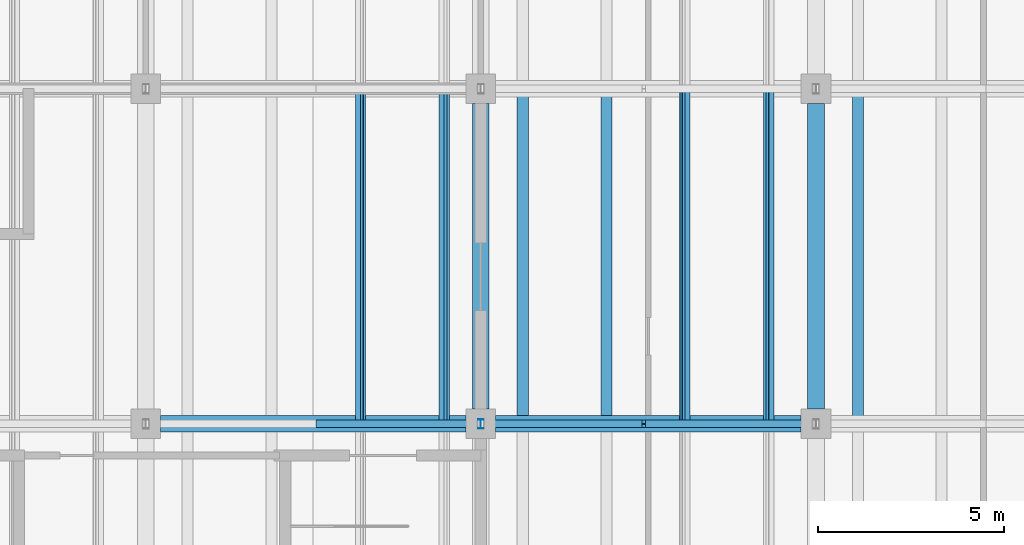
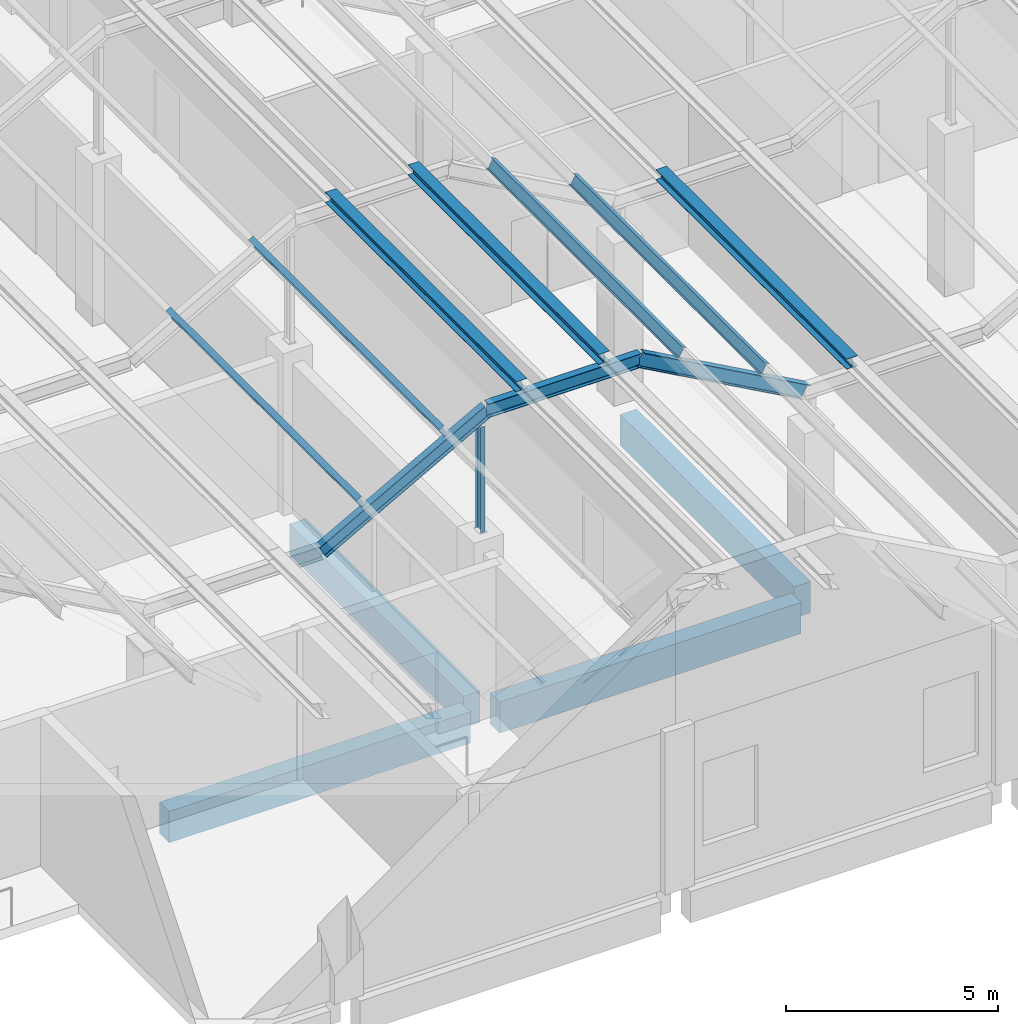
# One storey, part 14 of 437: 11 members, 4 beams.
"""IFC4 building model written with IfcOpenShell, lengths in metres."""

from ifc_helpers import new_model, si_unit, direction, frame, origin, origin_2d, place, context, subcontext, project, spatial, rectangle, i_section, extrude, material, material_profile, profile_set, type_object, element, save


model = new_model("IFC4")

# Units and contexts
model_context = context("Model", 3, precision=1e-05, world=origin(), true_north=direction((0.0, 1.0)))
body_context = subcontext(model_context, "Body", "Model", "MODEL_VIEW")
ifc_project = project(units=[si_unit("LENGTHUNIT", "METRE"), si_unit("AREAUNIT", "SQUARE_METRE"), si_unit("VOLUMEUNIT", "CUBIC_METRE"), si_unit("PLANEANGLEUNIT", "RADIAN"), si_unit("MASSUNIT", "GRAM", prefix="KILO")], contexts=[model_context])

# Site, building, storey
site_placement = place(None, origin())
site = spatial("IfcSite", under=ifc_project, at=site_placement, CompositionType="ELEMENT")
building_placement = place(site_placement, origin())
building = spatial("IfcBuilding", under=site, at=building_placement, Name="Opaline Strait Convention Centre", CompositionType="ELEMENT")
storey_placement = place(building_placement, frame((0.0, 0.0, 11.5)))
storey = spatial("IfcBuildingStorey", under=building, at=storey_placement, Name="L02", CompositionType="ELEMENT", Elevation=11.5)

# Members
ifc_material_1 = material(Name="Steel Q355B", Category="steel")
ifc_material_profile_1 = material_profile(ifc_material_1, i_section(OverallWidth=0.300048828125, OverallDepth=0.300048828125, WebThickness=0.010009765625, FlangeThickness=0.014892578125, FilletRadius=0.012939453125, at=origin_2d()), Name="HW 300x300x10x15")
ifc_profile_set_1 = profile_set([ifc_material_profile_1], Name="Steel Q355B")
member_type_1 = type_object("IfcMemberType", Name="Crest purlin HW 300x300x10x15", PredefinedType="PURLIN", material=ifc_profile_set_1)
for number, where, z_axis, x_axis, name in (
    (1, (28.125, 18.0, 8.449951171875), (0.0, 1.0, 0.0), (-1.0, 0.0, 0.0), "RU1 purlin facet 5 line 1"),
    (2, (30.375, 18.0, 8.449951171875), (0.0, 1.0, 0.0), (-1.0, 0.0, 0.0), "RU1 purlin facet 5 line 2"),
    (3, (37.125, 18.0, 5.949951171875), (0.0, 1.0, 0.0), (-1.0, 0.0, 0.0), "RU1 purlin facet 7 line 1"),
):
    element("IfcMember", number, at=place(storey_placement, frame(where, z_axis=z_axis, x_axis=x_axis)), inside=storey, type_object=member_type_1, Name=name, PredefinedType="PURLIN", context=body_context, shape_type="SweptSolid", body=[
        extrude(i_section(OverallWidth=0.300048828125, OverallDepth=0.300048828125, WebThickness=0.010009765625, FlangeThickness=0.014892578125, FilletRadius=0.012939453125, at=origin_2d()), origin(), (0.0, 0.0, 1.0), 9.0),
    ])

# Beams
ifc_material_2 = material(Name="Concrete C35", Category="concrete")
ifc_material_profile_2 = material_profile(ifc_material_2, rectangle(XDim=0.449951171875, YDim=0.89990234375, at=origin_2d()), Name="RC 450x900")
ifc_profile_set_2 = profile_set([ifc_material_profile_2], Name="Concrete C35")
beam_type = type_object("IfcBeamType", Name="RC beam 450x900 C35", PredefinedType="BEAM", material=ifc_profile_set_2)
for number, where, z_axis, x_axis, name in (
    (4, (18.39990234375, 18.0, -0.72998046875), (1.0, 0.0, 0.0), (0.0, 1.0, 0.0), "XB1 L02 18/18-27/18"),
    (5, (27.39990234375, 18.0, -0.72998046875), (1.0, 0.0, 0.0), (0.0, 1.0, 0.0), "XB1 L02 27/18-36/18"),
    (6, (27.0, 18.39990234375, -0.72998046875), (0.0, 1.0, 0.0), (-1.0, 0.0, 0.0), "XB1 L02 27/18-27/27"),
    (7, (36.0, 18.39990234375, -0.72998046875), (0.0, 1.0, 0.0), (-1.0, 0.0, 0.0), "XB1 L02 36/18-36/27"),
):
    element("IfcBeam", number, at=place(storey_placement, frame(where, z_axis=z_axis, x_axis=x_axis)), inside=storey, type_object=beam_type, Name=name, PredefinedType="BEAM", context=body_context, shape_type="SweptSolid", body=[
        extrude(rectangle(XDim=0.449951171875, YDim=0.89990234375, at=origin_2d()), origin(), (0.0, 0.0, 1.0), 8.2001953125),
    ])

# Members
ifc_material_profile_3 = material_profile(ifc_material_1, i_section(OverallWidth=0.125, OverallDepth=0.25, WebThickness=0.006103515625, FlangeThickness=0.009033203125, FilletRadius=0.008056640625, at=origin_2d()), Name="HN 250x125x6x9")
ifc_profile_set_3 = profile_set([ifc_material_profile_3], Name="Steel Q355B")
member_type_2 = type_object("IfcMemberType", Name="Roof post HN 250x125x6x9", PredefinedType="STRUT", material=ifc_profile_set_3)
member_1_placement = place(storey_placement, frame((27.0, 18.0, 4.68994140625), z_axis=(0.0, 0.0, 1.0), x_axis=(1.0, 0.0, 0.0)))
element("IfcMember", 8, at=member_1_placement, inside=storey, type_object=member_type_2, Name="RP1 roof post at 27/18", PredefinedType="STRUT", context=body_context, shape_type="SweptSolid", body=[
    extrude(i_section(OverallWidth=0.125, OverallDepth=0.25, WebThickness=0.006103515625, FlangeThickness=0.009033203125, FilletRadius=0.008056640625, at=origin_2d()), origin(), (0.0, 0.0, 1.0), 3.031005859375),
])
ifc_material_profile_4 = material_profile(ifc_material_1, i_section(OverallWidth=0.14990234375, OverallDepth=0.300048828125, WebThickness=0.006591796875, FlangeThickness=0.009033203125, FilletRadius=0.012939453125, at=origin_2d()), Name="HN 300x150x6.5x9")
ifc_profile_set_4 = profile_set([ifc_material_profile_4], Name="Steel Q355B")
member_type_3 = type_object("IfcMemberType", Name="Roof purlin HN 300x150x6.5x9", PredefinedType="PURLIN", material=ifc_profile_set_4)
for number, where, z_axis, x_axis, name in (
    (9, (23.770751953125, 18.0, 6.61279296875), (0.0, 1.0, 0.0), (-0.874157310866, 0.0, -0.485642868639), "RU1 purlin facet 4 line 1"),
    (10, (26.020751953125, 18.0, 7.86279296875), (0.0, 1.0, 0.0), (-0.874157310866, 0.0, -0.485642868639), "RU1 purlin facet 4 line 2"),
    (11, (32.479248046875, 18.0, 7.86279296875), (0.0, 1.0, 0.0), (-0.874157310866, 0.0, 0.485642868639), "RU1 purlin facet 6 line 1"),
    (12, (34.729248046875, 18.0, 6.61279296875), (0.0, 1.0, 0.0), (-0.874157310866, 0.0, 0.485642868639), "RU1 purlin facet 6 line 2"),
):
    element("IfcMember", number, at=place(storey_placement, frame(where, z_axis=z_axis, x_axis=x_axis)), inside=storey, type_object=member_type_3, Name=name, PredefinedType="PURLIN", context=body_context, shape_type="SweptSolid", body=[
        extrude(i_section(OverallWidth=0.14990234375, OverallDepth=0.300048828125, WebThickness=0.006591796875, FlangeThickness=0.009033203125, FilletRadius=0.012939453125, at=origin_2d()), origin(), (0.0, 0.0, 1.0), 9.0),
    ])
ifc_material_profile_5 = material_profile(ifc_material_1, i_section(OverallWidth=0.199951171875, OverallDepth=0.39990234375, WebThickness=0.008056640625, FlangeThickness=0.012939453125, FilletRadius=0.012939453125, at=origin_2d()), Name="HN 400x200x8x13")
ifc_profile_set_5 = profile_set([ifc_material_profile_5], Name="Steel Q355B")
member_type_4 = type_object("IfcMemberType", Name="Roof rafter HN 400x200x8x13", PredefinedType="RAFTER", material=ifc_profile_set_5)
member_2_placement = place(storey_placement, frame((22.66845703125, 18.0, 5.60009765625), z_axis=(0.874157276122, 0.0, 0.485642931179), x_axis=(0.0, 1.0, 0.0)))
element("IfcMember", 13, at=member_2_placement, inside=storey, type_object=member_type_4, Name="RR1 rafter line 2 facet 5", PredefinedType="RAFTER", context=body_context, shape_type="SweptSolid", body=[
    extrude(i_section(OverallWidth=0.199951171875, OverallDepth=0.39990234375, WebThickness=0.008056640625, FlangeThickness=0.012939453125, FilletRadius=0.012939453125, at=origin_2d()), origin(), (0.0, 0.0, 1.0), 5.147705078125),
])
member_3_placement = place(storey_placement, frame((27.16845703125, 18.0, 8.10009765625), z_axis=(1.0, 0.0, 0.0), x_axis=(0.0, 1.0, 0.0)))
element("IfcMember", 14, at=member_3_placement, inside=storey, type_object=member_type_4, Name="RR1 rafter line 2 facet 6", PredefinedType="RAFTER", context=body_context, shape_type="SweptSolid", body=[
    extrude(i_section(OverallWidth=0.199951171875, OverallDepth=0.39990234375, WebThickness=0.008056640625, FlangeThickness=0.012939453125, FilletRadius=0.012939453125, at=origin_2d()), origin(), (0.0, 0.0, 1.0), 4.1630859375),
])
member_4_placement = place(storey_placement, frame((31.33154296875, 18.0, 8.10009765625), z_axis=(0.874157276122, 0.0, -0.485642931179), x_axis=(0.0, 1.0, 0.0)))
element("IfcMember", 15, at=member_4_placement, inside=storey, type_object=member_type_4, Name="RR1 rafter line 2 facet 7", PredefinedType="RAFTER", context=body_context, shape_type="SweptSolid", body=[
    extrude(i_section(OverallWidth=0.199951171875, OverallDepth=0.39990234375, WebThickness=0.008056640625, FlangeThickness=0.012939453125, FilletRadius=0.012939453125, at=origin_2d()), origin(), (0.0, 0.0, 1.0), 5.147705078125),
])

save(model, "model.ifc")
